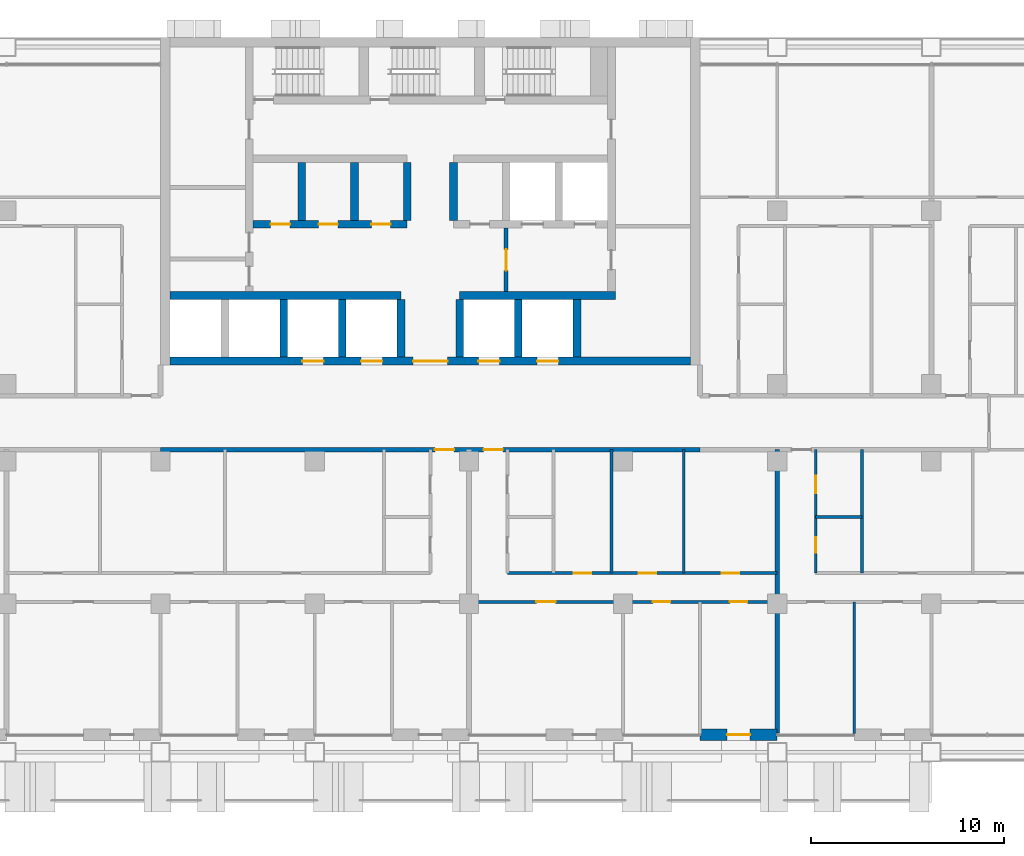
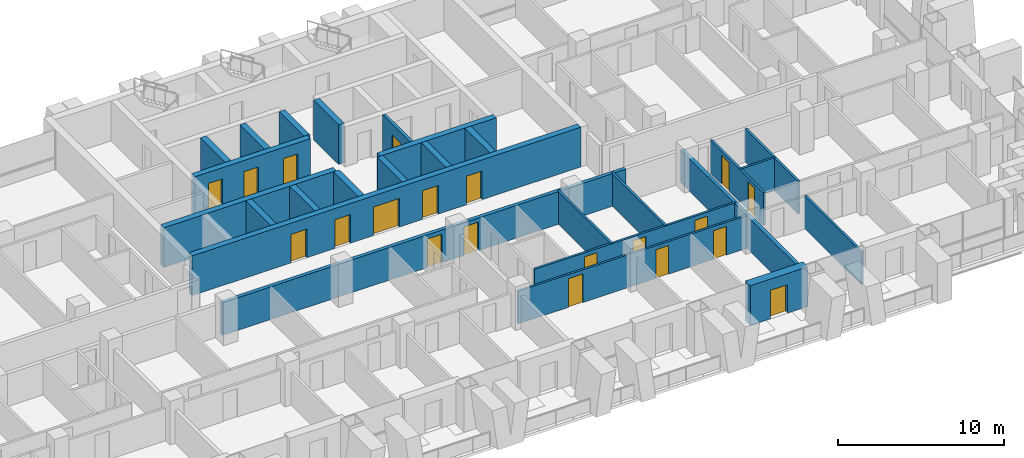
# One storey, part 11 of 18: 26 walls, 20 doors, 20 openings.
"""IFC4 building model written with IfcOpenShell, lengths in metres."""

from ifc_helpers import new_model, si_unit, direction, frame, frame_2d, origin, place, context, subcontext, project, spatial, rectangle, extrude, material, layer, layer_set, type_object, element, fill, save


model = new_model("IFC4")

# Units and contexts
model_context = context("Model", 3, precision=1e-05, world=origin(), true_north=direction((0.0, 1.0)))
body_context = subcontext(model_context, "Body", "Model", "MODEL_VIEW")
ifc_project = project(units=[si_unit("LENGTHUNIT", "METRE"), si_unit("AREAUNIT", "SQUARE_METRE"), si_unit("VOLUMEUNIT", "CUBIC_METRE"), si_unit("PLANEANGLEUNIT", "RADIAN"), si_unit("MASSUNIT", "GRAM", prefix="KILO")], contexts=[model_context])

# Site, building, storey
site_placement = place(None, origin())
site = spatial("IfcSite", under=ifc_project, at=site_placement, CompositionType="ELEMENT")
building_placement = place(site_placement, origin())
building = spatial("IfcBuilding", under=site, at=building_placement, Name="Vidyagriha Tower", CompositionType="ELEMENT")
storey_placement = place(building_placement, frame((0.0, 0.0, 44.800048828125)))
storey = spatial("IfcBuildingStorey", under=building, at=storey_placement, Name="L11", CompositionType="ELEMENT", Elevation=44.800048828125)

# Wall, opening, door
ifc_material_1 = material(Name="Precast concrete C40/50 with brick facing", Category="concrete")
ifc_layer_1 = layer(ifc_material_1, 0.60009765625)
ifc_layer_set_1 = layer_set([ifc_layer_1], Name="Precast concrete C40/50 with brick facing")
wall_type_1 = type_object("IfcWallType", Name="Brick-faced precast wall 600", PredefinedType="STANDARD", material=ifc_layer_set_1)
wall_1_placement = place(storey_placement, frame((14.0, -16.199951171875, 0.0)))
wall_1 = element("IfcWall", 1, at=wall_1_placement, inside=storey, type_object=wall_type_1, Name="Brick door bay wall L11 R23.13", PredefinedType="STANDARD", context=body_context, shape_type="SweptSolid", body=[
    extrude(rectangle(XDim=4.0, YDim=0.60009765625, at=frame_2d((2.0, 0.0))), origin(), (0.0, 0.0, 1.0), 2.919921875),
])
opening_1_placement = place(wall_1_placement, frame((1.39990234375, 0.0, 0.0)))
opening_1 = element("IfcOpeningElement", 2, at=opening_1_placement, cuts=wall_1, Name="Opening D11-82", PredefinedType="OPENING", context=body_context, shape_type="SweptSolid", body=[
    extrude(rectangle(XDim=1.199951171875, YDim=2.10009765625, at=frame_2d((0.60009765625, 1.050048828125))), frame((0.0, 0.31005859375, 0.0), z_axis=(0.0, -1.0, 0.0), x_axis=(1.0, 0.0, 0.0)), (0.0, 0.0, 1.0), 0.6201171875),
])
ifc_material_2 = material(Name="Aluminium framed glazed sliding door", Category="aluminium")
door_type_1 = type_object("IfcDoorType", Name="Balcony sliding door 1200x2100", OperationType="NOTDEFINED", PredefinedType="DOOR", material=ifc_material_2)
door_1_placement = place(opening_1_placement, origin())
door_1 = element("IfcDoor", 3, at=door_1_placement, inside=storey, type_object=door_type_1, Name="Door D11-82", OperationType="SLIDING_TO_LEFT", OverallHeight=2.10009765625, OverallWidth=1.199951171875, PredefinedType="DOOR", context=body_context, shape_type="SweptSolid", body=[
    extrude(rectangle(XDim=1.199951171875, YDim=2.10009765625, at=frame_2d((0.60009765625, 1.050048828125))), frame((0.0, 0.02490234375, 0.0), z_axis=(0.0, -1.0, 0.0), x_axis=(1.0, 0.0, 0.0)), (0.0, 0.0, 1.0), 0.050048828125),
])
fill(opening_1, door_1)

# Wall, openings, doors
ifc_material_3 = material(Name="Concrete C60/75", Category="concrete")
ifc_layer_2 = layer(ifc_material_3, 0.39990234375)
ifc_layer_set_2 = layer_set([ifc_layer_2], Name="Concrete C60/75")
wall_type_2 = type_object("IfcWallType", Name="Core shear wall 400 mm", PredefinedType="SHEAR", material=ifc_layer_set_2)
wall_2_placement = place(storey_placement, frame((-13.5, 3.199951171875, 0.0)))
wall_2 = element("IfcWall", 4, at=wall_2_placement, inside=storey, type_object=wall_type_2, Name="Core front wall", PredefinedType="SHEAR", context=body_context, shape_type="SweptSolid", body=[
    extrude(rectangle(XDim=27.0, YDim=0.39990234375, at=frame_2d((13.5, 0.0))), origin(), (0.0, 0.0, 1.0), 2.919921875),
])
opening_2_placement = place(wall_2_placement, frame((6.861083984375, 0.0, 0.0)))
opening_2 = element("IfcOpeningElement", 5, at=opening_2_placement, cuts=wall_2, Name="Opening LD11-01", PredefinedType="OPENING", context=body_context, shape_type="SweptSolid", body=[
    extrude(rectangle(XDim=1.10009765625, YDim=2.10009765625, at=frame_2d((0.550048828125, 1.050048828125))), frame((0.0, 0.2099609375, 0.0), z_axis=(0.0, -1.0, 0.0), x_axis=(1.0, 0.0, 0.0)), (0.0, 0.0, 1.0), 0.419921875),
])
opening_3_placement = place(wall_2_placement, frame((9.905517578125, 0.0, 0.0)))
opening_3 = element("IfcOpeningElement", 6, at=opening_3_placement, cuts=wall_2, Name="Opening LD11-02", PredefinedType="OPENING", context=body_context, shape_type="SweptSolid", body=[
    extrude(rectangle(XDim=1.10009765625, YDim=2.10009765625, at=frame_2d((0.550048828125, 1.050048828125))), frame((0.0, 0.2099609375, 0.0), z_axis=(0.0, -1.0, 0.0), x_axis=(1.0, 0.0, 0.0)), (0.0, 0.0, 1.0), 0.419921875),
])
opening_4_placement = place(wall_2_placement, frame((15.994384765625, 0.0, 0.0)))
opening_4 = element("IfcOpeningElement", 7, at=opening_4_placement, cuts=wall_2, Name="Opening LD11-03", PredefinedType="OPENING", context=body_context, shape_type="SweptSolid", body=[
    extrude(rectangle(XDim=1.10009765625, YDim=2.10009765625, at=frame_2d((0.550048828125, 1.050048828125))), frame((0.0, 0.2099609375, 0.0), z_axis=(0.0, -1.0, 0.0), x_axis=(1.0, 0.0, 0.0)), (0.0, 0.0, 1.0), 0.419921875),
])
opening_5_placement = place(wall_2_placement, frame((19.038818359375, 0.0, 0.0)))
opening_5 = element("IfcOpeningElement", 8, at=opening_5_placement, cuts=wall_2, Name="Opening LD11-04", PredefinedType="OPENING", context=body_context, shape_type="SweptSolid", body=[
    extrude(rectangle(XDim=1.10009765625, YDim=2.10009765625, at=frame_2d((0.550048828125, 1.050048828125))), frame((0.0, 0.2099609375, 0.0), z_axis=(0.0, -1.0, 0.0), x_axis=(1.0, 0.0, 0.0)), (0.0, 0.0, 1.0), 0.419921875),
])
opening_6_placement = place(wall_2_placement, frame((12.60009765625, 0.0, 0.0)))
opening_6 = element("IfcOpeningElement", 9, at=opening_6_placement, cuts=wall_2, Name="Opening D11-01", PredefinedType="OPENING", context=body_context, shape_type="SweptSolid", body=[
    extrude(rectangle(XDim=1.800048828125, YDim=2.10009765625, at=frame_2d((0.89990234375, 1.050048828125))), frame((0.0, 0.2099609375, 0.0), z_axis=(0.0, -1.0, 0.0), x_axis=(1.0, 0.0, 0.0)), (0.0, 0.0, 1.0), 0.419921875),
])
ifc_material_4 = material(Name="Hollow metal door leaf")
door_type_2 = type_object("IfcDoorType", Name="Core lobby double door 1800 x 2100 mm EI 60", OperationType="NOTDEFINED", PredefinedType="DOOR", material=ifc_material_4)
door_2_placement = place(opening_6_placement, frame((1.800048828125, 0.0, 0.0), z_axis=(0.0, 0.0, 1.0), x_axis=(-1.0, 0.0, 0.0)))
door_2 = element("IfcDoor", 10, at=door_2_placement, inside=storey, type_object=door_type_2, Name="Core entrance door L11", OperationType="DOUBLE_DOOR_SINGLE_SWING", OverallHeight=2.10009765625, OverallWidth=1.800048828125, PredefinedType="DOOR", context=body_context, shape_type="SweptSolid", body=[
    extrude(rectangle(XDim=1.800048828125, YDim=2.10009765625, at=frame_2d((0.89990234375, 1.050048828125))), frame((0.0, 0.02490234375, 0.0), z_axis=(0.0, -1.0, 0.0), x_axis=(1.0, 0.0, 0.0)), (0.0, 0.0, 1.0), 0.050048828125),
])
fill(opening_6, door_2)
ifc_material_5 = material(Name="Stainless steel sliding door panel", Category="steel")
door_type_3 = type_object("IfcDoorType", Name="Lift landing door 1100 x 2100 mm EI 90", OperationType="NOTDEFINED", PredefinedType="DOOR", material=ifc_material_5)
door_3_placement = place(opening_2_placement, origin())
door_3 = element("IfcDoor", 11, at=door_3_placement, inside=storey, type_object=door_type_3, Name="Landing door LR1 L11", OperationType="SLIDING_TO_LEFT", OverallHeight=2.10009765625, OverallWidth=1.10009765625, PredefinedType="DOOR", context=body_context, shape_type="SweptSolid", body=[
    extrude(rectangle(XDim=1.10009765625, YDim=2.10009765625, at=frame_2d((0.550048828125, 1.050048828125))), frame((0.0, 0.02490234375, 0.0), z_axis=(0.0, -1.0, 0.0), x_axis=(1.0, 0.0, 0.0)), (0.0, 0.0, 1.0), 0.050048828125),
])
fill(opening_2, door_3)
door_4_placement = place(opening_3_placement, origin())
door_4 = element("IfcDoor", 12, at=door_4_placement, inside=storey, type_object=door_type_3, Name="Landing door LR2 L11", OperationType="SLIDING_TO_LEFT", OverallHeight=2.10009765625, OverallWidth=1.10009765625, PredefinedType="DOOR", context=body_context, shape_type="SweptSolid", body=[
    extrude(rectangle(XDim=1.10009765625, YDim=2.10009765625, at=frame_2d((0.550048828125, 1.050048828125))), frame((0.0, 0.02490234375, 0.0), z_axis=(0.0, -1.0, 0.0), x_axis=(1.0, 0.0, 0.0)), (0.0, 0.0, 1.0), 0.050048828125),
])
fill(opening_3, door_4)
door_5_placement = place(opening_4_placement, origin())
door_5 = element("IfcDoor", 13, at=door_5_placement, inside=storey, type_object=door_type_3, Name="Landing door LR3 L11", OperationType="SLIDING_TO_LEFT", OverallHeight=2.10009765625, OverallWidth=1.10009765625, PredefinedType="DOOR", context=body_context, shape_type="SweptSolid", body=[
    extrude(rectangle(XDim=1.10009765625, YDim=2.10009765625, at=frame_2d((0.550048828125, 1.050048828125))), frame((0.0, 0.02490234375, 0.0), z_axis=(0.0, -1.0, 0.0), x_axis=(1.0, 0.0, 0.0)), (0.0, 0.0, 1.0), 0.050048828125),
])
fill(opening_4, door_5)
door_6_placement = place(opening_5_placement, origin())
door_6 = element("IfcDoor", 14, at=door_6_placement, inside=storey, type_object=door_type_3, Name="Landing door LR4 L11", OperationType="SLIDING_TO_LEFT", OverallHeight=2.10009765625, OverallWidth=1.10009765625, PredefinedType="DOOR", context=body_context, shape_type="SweptSolid", body=[
    extrude(rectangle(XDim=1.10009765625, YDim=2.10009765625, at=frame_2d((0.550048828125, 1.050048828125))), frame((0.0, 0.02490234375, 0.0), z_axis=(0.0, -1.0, 0.0), x_axis=(1.0, 0.0, 0.0)), (0.0, 0.0, 1.0), 0.050048828125),
])
fill(opening_5, door_6)

# Walls
wall_3_placement = place(storey_placement, frame((-13.5, 6.60009765625, 0.0)))
element("IfcWall", 15, at=wall_3_placement, inside=storey, type_object=wall_type_2, Name="Core lobby south wall west", PredefinedType="SHEAR", context=body_context, shape_type="SweptSolid", body=[
    extrude(rectangle(XDim=11.977783203125, YDim=0.39990234375, at=frame_2d((5.98876953125, 0.0))), origin(), (0.0, 0.0, 1.0), 2.919921875),
])
wall_4_placement = place(storey_placement, frame((1.522216796875, 6.60009765625, 0.0)))
element("IfcWall", 16, at=wall_4_placement, inside=storey, type_object=wall_type_2, Name="Core lobby south wall east", PredefinedType="SHEAR", context=body_context, shape_type="SweptSolid", body=[
    extrude(rectangle(XDim=8.077880859375, YDim=0.39990234375, at=frame_2d((4.0390625, 0.0))), origin(), (0.0, 0.0, 1.0), 2.919921875),
])
for number, where, z_axis, x_axis, name in (
    (17, (-7.611083984375, 3.39990234375, 0.0), (0.0, 0.0, 1.0), (0.0, 1.0, 0.0), "Core bay wall S2"),
    (18, (-4.566650390625, 3.39990234375, 0.0), (0.0, 0.0, 1.0), (0.0, 1.0, 0.0), "Core bay wall S3"),
    (19, (-1.522216796875, 3.39990234375, 0.0), (0.0, 0.0, 1.0), (0.0, 1.0, 0.0), "Core bay wall S4"),
    (20, (1.522216796875, 3.39990234375, 0.0), (0.0, 0.0, 1.0), (0.0, 1.0, 0.0), "Core bay wall S5"),
    (21, (4.566650390625, 3.39990234375, 0.0), (0.0, 0.0, 1.0), (0.0, 1.0, 0.0), "Core bay wall S6"),
    (22, (7.611083984375, 3.39990234375, 0.0), (0.0, 0.0, 1.0), (0.0, 1.0, 0.0), "Core bay wall S7"),
):
    element("IfcWall", number, at=place(storey_placement, frame(where, z_axis=z_axis, x_axis=x_axis)), inside=storey, type_object=wall_type_2, Name=name, PredefinedType="SHEAR", context=body_context, shape_type="SweptSolid", body=[
        extrude(rectangle(XDim=3.0, YDim=0.39990234375, at=frame_2d((1.5, 0.0))), origin(), (0.0, 0.0, 1.0), 2.919921875),
    ])

# Wall, openings, doors
wall_5_placement = place(storey_placement, frame((-9.199951171875, 10.300048828125, 0.0)))
wall_5 = element("IfcWall", 23, at=wall_5_placement, inside=storey, type_object=wall_type_2, Name="Core row N front wall", PredefinedType="SHEAR", context=body_context, shape_type="SweptSolid", body=[
    extrude(rectangle(XDim=8.0, YDim=0.39990234375, at=frame_2d((4.0, 0.0))), origin(), (0.0, 0.0, 1.0), 2.919921875),
])
opening_7_placement = place(wall_5_placement, frame((0.916748046875, 0.0, 0.0)))
opening_7 = element("IfcOpeningElement", 24, at=opening_7_placement, cuts=wall_5, Name="Opening D11-02", PredefinedType="OPENING", context=body_context, shape_type="SweptSolid", body=[
    extrude(rectangle(XDim=1.0, YDim=2.10009765625, at=frame_2d((0.5, 1.050048828125))), frame((0.0, 0.2099609375, 0.0), z_axis=(0.0, -1.0, 0.0), x_axis=(1.0, 0.0, 0.0)), (0.0, 0.0, 1.0), 0.419921875),
])
opening_8_placement = place(wall_5_placement, frame((3.39990234375, 0.0, 0.0)))
opening_8 = element("IfcOpeningElement", 25, at=opening_8_placement, cuts=wall_5, Name="Opening D11-03", PredefinedType="OPENING", context=body_context, shape_type="SweptSolid", body=[
    extrude(rectangle(XDim=1.0, YDim=2.10009765625, at=frame_2d((0.5, 1.050048828125))), frame((0.0, 0.2099609375, 0.0), z_axis=(0.0, -1.0, 0.0), x_axis=(1.0, 0.0, 0.0)), (0.0, 0.0, 1.0), 0.419921875),
])
opening_9_placement = place(wall_5_placement, frame((6.13330078125, 0.0, 0.0)))
opening_9 = element("IfcOpeningElement", 26, at=opening_9_placement, cuts=wall_5, Name="Opening D11-04", PredefinedType="OPENING", context=body_context, shape_type="SweptSolid", body=[
    extrude(rectangle(XDim=1.0, YDim=2.10009765625, at=frame_2d((0.5, 1.050048828125))), frame((0.0, 0.2099609375, 0.0), z_axis=(0.0, -1.0, 0.0), x_axis=(1.0, 0.0, 0.0)), (0.0, 0.0, 1.0), 0.419921875),
])
ifc_material_6 = material(Name="Hollow metal door leaf")
door_type_4 = type_object("IfcDoorType", Name="Core room door 1000 x 2100 mm EI 60", OperationType="NOTDEFINED", PredefinedType="DOOR", material=ifc_material_6)
door_7_placement = place(opening_7_placement, frame((1.0, 0.0, 0.0), z_axis=(0.0, 0.0, 1.0), x_axis=(-1.0, 0.0, 0.0)))
door_7 = element("IfcDoor", 27, at=door_7_placement, inside=storey, type_object=door_type_4, Name="Door Communications Room 11.14", OperationType="SINGLE_SWING_RIGHT", OverallHeight=2.10009765625, OverallWidth=1.0, PredefinedType="DOOR", context=body_context, shape_type="SweptSolid", body=[
    extrude(rectangle(XDim=1.0, YDim=2.10009765625, at=frame_2d((0.5, 1.050048828125))), frame((0.0, 0.02490234375, 0.0), z_axis=(0.0, -1.0, 0.0), x_axis=(1.0, 0.0, 0.0)), (0.0, 0.0, 1.0), 0.050048828125),
])
fill(opening_7, door_7)
door_8_placement = place(opening_8_placement, frame((1.0, 0.0, 0.0), z_axis=(0.0, 0.0, 1.0), x_axis=(-1.0, 0.0, 0.0)))
door_8 = element("IfcDoor", 28, at=door_8_placement, inside=storey, type_object=door_type_4, Name="Door Refuse Room 11.15", OperationType="SINGLE_SWING_RIGHT", OverallHeight=2.10009765625, OverallWidth=1.0, PredefinedType="DOOR", context=body_context, shape_type="SweptSolid", body=[
    extrude(rectangle(XDim=1.0, YDim=2.10009765625, at=frame_2d((0.5, 1.050048828125))), frame((0.0, 0.02490234375, 0.0), z_axis=(0.0, -1.0, 0.0), x_axis=(1.0, 0.0, 0.0)), (0.0, 0.0, 1.0), 0.050048828125),
])
fill(opening_8, door_8)
door_9_placement = place(opening_9_placement, frame((1.0, 0.0, 0.0), z_axis=(0.0, 0.0, 1.0), x_axis=(-1.0, 0.0, 0.0)))
door_9 = element("IfcDoor", 29, at=door_9_placement, inside=storey, type_object=door_type_4, Name="Door Pressurisation Plant Room 11.16", OperationType="SINGLE_SWING_LEFT", OverallHeight=2.10009765625, OverallWidth=1.0, PredefinedType="DOOR", context=body_context, shape_type="SweptSolid", body=[
    extrude(rectangle(XDim=1.0, YDim=2.10009765625, at=frame_2d((0.5, 1.050048828125))), frame((0.0, 0.02490234375, 0.0), z_axis=(0.0, -1.0, 0.0), x_axis=(1.0, 0.0, 0.0)), (0.0, 0.0, 1.0), 0.050048828125),
])
fill(opening_9, door_9)

# Walls
for number, where, z_axis, x_axis, name in (
    (30, (-6.666748046875, 10.5, 0.0), (0.0, 0.0, 1.0), (0.0, 1.0, 0.0), "Core bay wall N1"),
    (31, (-3.933349609375, 10.5, 0.0), (0.0, 0.0, 1.0), (0.0, 1.0, 0.0), "Core bay wall N2"),
    (32, (-1.199951171875, 10.5, 0.0), (0.0, 0.0, 1.0), (0.0, 1.0, 0.0), "Core bay wall N3"),
    (33, (1.199951171875, 10.5, 0.0), (0.0, 0.0, 1.0), (0.0, 1.0, 0.0), "Core bay wall N4"),
):
    element("IfcWall", number, at=place(storey_placement, frame(where, z_axis=z_axis, x_axis=x_axis)), inside=storey, type_object=wall_type_2, Name=name, PredefinedType="SHEAR", context=body_context, shape_type="SweptSolid", body=[
        extrude(rectangle(XDim=3.0, YDim=0.39990234375, at=frame_2d((1.5, 0.0))), origin(), (0.0, 0.0, 1.0), 2.919921875),
    ])

# Wall, openings, doors
ifc_material_7 = material(Name="Fired clay brick masonry", Category="masonry")
ifc_layer_3 = layer(ifc_material_7, 0.25)
ifc_layer_set_3 = layer_set([ifc_layer_3], Name="Fired clay brick masonry")
wall_type_3 = type_object("IfcWallType", Name="Fired clay brick corridor wall 250", PredefinedType="PARTITIONING", material=ifc_layer_set_3)
wall_6_placement = place(storey_placement, frame((14.0, -1.39990234375, 0.0), z_axis=(0.0, 0.0, 1.0), x_axis=(-1.0, 0.0, 0.0)))
wall_6 = element("IfcWall", 34, at=wall_6_placement, inside=storey, type_object=wall_type_3, Name="Wall all-L11-w133", PredefinedType="PARTITIONING", context=body_context, shape_type="SweptSolid", body=[
    extrude(rectangle(XDim=28.0, YDim=0.25, at=frame_2d((14.0, 0.0))), origin(), (0.0, 0.0, 1.0), 2.39990234375),
])
opening_10_placement = place(wall_6_placement, frame((12.760009765625, 0.0, 0.0)))
opening_10 = element("IfcOpeningElement", 35, at=opening_10_placement, cuts=wall_6, Name="Opening D11-32", PredefinedType="OPENING", context=body_context, shape_type="SweptSolid", body=[
    extrude(rectangle(XDim=1.0, YDim=2.10009765625, at=frame_2d((0.5, 1.050048828125))), frame((0.0, 0.135009765625, 0.0), z_axis=(0.0, -1.0, 0.0), x_axis=(1.0, 0.0, 0.0)), (0.0, 0.0, 1.0), 0.27001953125),
])
opening_11_placement = place(wall_6_placement, frame((10.239990234375, 0.0, 0.0)))
opening_11 = element("IfcOpeningElement", 36, at=opening_11_placement, cuts=wall_6, Name="Opening D11-41", PredefinedType="OPENING", context=body_context, shape_type="SweptSolid", body=[
    extrude(rectangle(XDim=1.0, YDim=2.10009765625, at=frame_2d((0.5, 1.050048828125))), frame((0.0, 0.135009765625, 0.0), z_axis=(0.0, -1.0, 0.0), x_axis=(1.0, 0.0, 0.0)), (0.0, 0.0, 1.0), 0.27001953125),
])
ifc_material_8 = material(Name="Fire-rated timber door leaf EI 60", Category="wood")
door_type_5 = type_object("IfcDoorType", Name="Flat entrance fire door 1000x2100", OperationType="NOTDEFINED", PredefinedType="DOOR", material=ifc_material_8)
door_10_placement = place(opening_10_placement, origin())
door_10 = element("IfcDoor", 37, at=door_10_placement, inside=storey, type_object=door_type_5, Name="Door D11-32", OperationType="SINGLE_SWING_LEFT", OverallHeight=2.10009765625, OverallWidth=1.0, PredefinedType="DOOR", context=body_context, shape_type="SweptSolid", body=[
    extrude(rectangle(XDim=1.0, YDim=2.10009765625, at=frame_2d((0.5, 1.050048828125))), frame((0.0, 0.02490234375, 0.0), z_axis=(0.0, -1.0, 0.0), x_axis=(1.0, 0.0, 0.0)), (0.0, 0.0, 1.0), 0.050048828125),
])
fill(opening_10, door_10)
door_11_placement = place(opening_11_placement, origin())
door_11 = element("IfcDoor", 38, at=door_11_placement, inside=storey, type_object=door_type_5, Name="Door D11-41", OperationType="SINGLE_SWING_RIGHT", OverallHeight=2.10009765625, OverallWidth=1.0, PredefinedType="DOOR", context=body_context, shape_type="SweptSolid", body=[
    extrude(rectangle(XDim=1.0, YDim=2.10009765625, at=frame_2d((0.5, 1.050048828125))), frame((0.0, 0.02490234375, 0.0), z_axis=(0.0, -1.0, 0.0), x_axis=(1.0, 0.0, 0.0)), (0.0, 0.0, 1.0), 0.050048828125),
])
fill(opening_11, door_11)

# Walls
ifc_material_9 = material(Name="Fired clay brick masonry", Category="masonry")
ifc_layer_4 = layer(ifc_material_9, 0.25)
ifc_layer_set_4 = layer_set([ifc_layer_4], Name="Fired clay brick masonry")
wall_type_4 = type_object("IfcWallType", Name="Fired clay brick demising wall 250", PredefinedType="PARTITIONING", material=ifc_layer_set_4)
wall_7_placement = place(storey_placement, frame((18.0, -1.39990234375, 0.0), z_axis=(0.0, 0.0, 1.0), x_axis=(0.0, -1.0, 0.0)))
element("IfcWall", 39, at=wall_7_placement, inside=storey, type_object=wall_type_4, Name="Wall all-L11-w077", PredefinedType="PARTITIONING", context=body_context, shape_type="SweptSolid", body=[
    extrude(rectangle(XDim=14.710205078125, YDim=0.25, at=frame_2d((7.35498046875, 0.0))), origin(), (0.0, 0.0, 1.0), 2.39990234375),
])
ifc_material_10 = material(Name="Gypsum board partition")
ifc_layer_5 = layer(ifc_material_10, 0.14990234375)
ifc_layer_set_5 = layer_set([ifc_layer_5], Name="Gypsum board partition")
wall_type_5 = type_object("IfcWallType", Name="Gypsum board partition 150", PredefinedType="PARTITIONING", material=ifc_layer_set_5)
for number, where, z_axis, x_axis, name in (
    (40, (9.39990234375, -1.39990234375, 0.0), (0.0, 0.0, 1.0), (0.0, -1.0, 0.0), "Wall all-L11-w043"),
    (41, (13.14990234375, -1.39990234375, 0.0), (0.0, 0.0, 1.0), (0.0, -1.0, 0.0), "Wall all-L11-w044"),
):
    element("IfcWall", number, at=place(storey_placement, frame(where, z_axis=z_axis, x_axis=x_axis)), inside=storey, type_object=wall_type_5, Name=name, PredefinedType="PARTITIONING", context=body_context, shape_type="SweptSolid", body=[
        extrude(rectangle(XDim=6.400146484375, YDim=0.14990234375, at=frame_2d((3.2001953125, 0.0))), origin(), (0.0, 0.0, 1.0), 2.39990234375),
    ])

# Wall, openings, doors
wall_8_placement = place(storey_placement, frame((4.0, -7.800048828125, 0.0)))
wall_8 = element("IfcWall", 42, at=wall_8_placement, inside=storey, type_object=wall_type_5, Name="Wall all-L11-w045", PredefinedType="PARTITIONING", context=body_context, shape_type="SweptSolid", body=[
    extrude(rectangle(XDim=14.0, YDim=0.14990234375, at=frame_2d((7.0, 0.0))), origin(), (0.0, 0.0, 1.0), 2.39990234375),
])
opening_12_placement = place(wall_8_placement, frame((3.449951171875, 0.0, 0.0)))
opening_12 = element("IfcOpeningElement", 43, at=opening_12_placement, cuts=wall_8, Name="Opening D11-35", PredefinedType="OPENING", context=body_context, shape_type="SweptSolid", body=[
    extrude(rectangle(XDim=0.89990234375, YDim=2.10009765625, at=frame_2d((0.449951171875, 1.050048828125))), frame((0.0, 0.0849609375, 0.0), z_axis=(0.0, -1.0, 0.0), x_axis=(1.0, 0.0, 0.0)), (0.0, 0.0, 1.0), 0.169921875),
])
opening_13_placement = place(wall_8_placement, frame((6.824951171875, 0.0, 0.0)))
opening_13 = element("IfcOpeningElement", 44, at=opening_13_placement, cuts=wall_8, Name="Opening D11-36", PredefinedType="OPENING", context=body_context, shape_type="SweptSolid", body=[
    extrude(rectangle(XDim=0.89990234375, YDim=2.10009765625, at=frame_2d((0.449951171875, 1.050048828125))), frame((0.0, 0.0849609375, 0.0), z_axis=(0.0, -1.0, 0.0), x_axis=(1.0, 0.0, 0.0)), (0.0, 0.0, 1.0), 0.169921875),
])
opening_14_placement = place(wall_8_placement, frame((11.125, 0.0, 0.0)))
opening_14 = element("IfcOpeningElement", 45, at=opening_14_placement, cuts=wall_8, Name="Opening D11-37", PredefinedType="OPENING", context=body_context, shape_type="SweptSolid", body=[
    extrude(rectangle(XDim=0.89990234375, YDim=2.10009765625, at=frame_2d((0.449951171875, 1.050048828125))), frame((0.0, 0.0849609375, 0.0), z_axis=(0.0, -1.0, 0.0), x_axis=(1.0, 0.0, 0.0)), (0.0, 0.0, 1.0), 0.169921875),
])
ifc_material_11 = material(Name="Timber door leaf", Category="wood")
door_type_6 = type_object("IfcDoorType", Name="Room door 900x2100", OperationType="NOTDEFINED", PredefinedType="DOOR", material=ifc_material_11)
door_12_placement = place(opening_12_placement, origin())
door_12 = element("IfcDoor", 46, at=door_12_placement, inside=storey, type_object=door_type_6, Name="Door D11-35", OperationType="SINGLE_SWING_RIGHT", OverallHeight=2.10009765625, OverallWidth=0.89990234375, PredefinedType="DOOR", context=body_context, shape_type="SweptSolid", body=[
    extrude(rectangle(XDim=0.89990234375, YDim=2.10009765625, at=frame_2d((0.449951171875, 1.050048828125))), frame((0.0, 0.02490234375, 0.0), z_axis=(0.0, -1.0, 0.0), x_axis=(1.0, 0.0, 0.0)), (0.0, 0.0, 1.0), 0.050048828125),
])
fill(opening_12, door_12)
door_13_placement = place(opening_13_placement, origin())
door_13 = element("IfcDoor", 47, at=door_13_placement, inside=storey, type_object=door_type_6, Name="Door D11-36", OperationType="SINGLE_SWING_RIGHT", OverallHeight=2.10009765625, OverallWidth=0.89990234375, PredefinedType="DOOR", context=body_context, shape_type="SweptSolid", body=[
    extrude(rectangle(XDim=0.89990234375, YDim=2.10009765625, at=frame_2d((0.449951171875, 1.050048828125))), frame((0.0, 0.02490234375, 0.0), z_axis=(0.0, -1.0, 0.0), x_axis=(1.0, 0.0, 0.0)), (0.0, 0.0, 1.0), 0.050048828125),
])
fill(opening_13, door_13)
door_14_placement = place(opening_14_placement, origin())
door_14 = element("IfcDoor", 48, at=door_14_placement, inside=storey, type_object=door_type_6, Name="Door D11-37", OperationType="SINGLE_SWING_LEFT", OverallHeight=2.10009765625, OverallWidth=0.89990234375, PredefinedType="DOOR", context=body_context, shape_type="SweptSolid", body=[
    extrude(rectangle(XDim=0.89990234375, YDim=2.10009765625, at=frame_2d((0.449951171875, 1.050048828125))), frame((0.0, 0.02490234375, 0.0), z_axis=(0.0, -1.0, 0.0), x_axis=(1.0, 0.0, 0.0)), (0.0, 0.0, 1.0), 0.050048828125),
])
fill(opening_14, door_14)

wall_9_placement = place(storey_placement, frame((18.0, -9.300048828125, 0.0), z_axis=(0.0, 0.0, 1.0), x_axis=(-1.0, 0.0, 0.0)))
wall_9 = element("IfcWall", 49, at=wall_9_placement, inside=storey, type_object=wall_type_5, Name="Wall all-L11-w049", PredefinedType="PARTITIONING", context=body_context, shape_type="SweptSolid", body=[
    extrude(rectangle(XDim=16.0, YDim=0.14990234375, at=frame_2d((8.0, 0.0))), origin(), (0.0, 0.0, 1.0), 2.39990234375),
])
opening_15_placement = place(wall_9_placement, frame((11.5, 0.0, 0.0)))
opening_15 = element("IfcOpeningElement", 50, at=opening_15_placement, cuts=wall_9, Name="Opening D11-38", PredefinedType="OPENING", context=body_context, shape_type="SweptSolid", body=[
    extrude(rectangle(XDim=1.0, YDim=2.10009765625, at=frame_2d((0.5, 1.050048828125))), frame((0.0, 0.0849609375, 0.0), z_axis=(0.0, -1.0, 0.0), x_axis=(1.0, 0.0, 0.0)), (0.0, 0.0, 1.0), 0.169921875),
])
opening_16_placement = place(wall_9_placement, frame((5.550048828125, 0.0, 0.0)))
opening_16 = element("IfcOpeningElement", 51, at=opening_16_placement, cuts=wall_9, Name="Opening D11-39", PredefinedType="OPENING", context=body_context, shape_type="SweptSolid", body=[
    extrude(rectangle(XDim=0.89990234375, YDim=2.10009765625, at=frame_2d((0.449951171875, 1.050048828125))), frame((0.0, 0.0849609375, 0.0), z_axis=(0.0, -1.0, 0.0), x_axis=(1.0, 0.0, 0.0)), (0.0, 0.0, 1.0), 0.169921875),
])
opening_17_placement = place(wall_9_placement, frame((1.550048828125, 0.0, 0.0)))
opening_17 = element("IfcOpeningElement", 52, at=opening_17_placement, cuts=wall_9, Name="Opening D11-40", PredefinedType="OPENING", context=body_context, shape_type="SweptSolid", body=[
    extrude(rectangle(XDim=0.89990234375, YDim=2.10009765625, at=frame_2d((0.449951171875, 1.050048828125))), frame((0.0, 0.0849609375, 0.0), z_axis=(0.0, -1.0, 0.0), x_axis=(1.0, 0.0, 0.0)), (0.0, 0.0, 1.0), 0.169921875),
])
ifc_material_12 = material(Name="Timber door leaf", Category="wood")
door_type_7 = type_object("IfcDoorType", Name="Room door 1000x2100", OperationType="NOTDEFINED", PredefinedType="DOOR", material=ifc_material_12)
door_15_placement = place(opening_15_placement, origin())
door_15 = element("IfcDoor", 53, at=door_15_placement, inside=storey, type_object=door_type_7, Name="Door D11-38", OperationType="SINGLE_SWING_RIGHT", OverallHeight=2.10009765625, OverallWidth=1.0, PredefinedType="DOOR", context=body_context, shape_type="SweptSolid", body=[
    extrude(rectangle(XDim=1.0, YDim=2.10009765625, at=frame_2d((0.5, 1.050048828125))), frame((0.0, 0.02490234375, 0.0), z_axis=(0.0, -1.0, 0.0), x_axis=(1.0, 0.0, 0.0)), (0.0, 0.0, 1.0), 0.050048828125),
])
fill(opening_15, door_15)
door_16_placement = place(opening_16_placement, origin())
door_16 = element("IfcDoor", 54, at=door_16_placement, inside=storey, type_object=door_type_6, Name="Door D11-39", OperationType="SINGLE_SWING_RIGHT", OverallHeight=2.10009765625, OverallWidth=0.89990234375, PredefinedType="DOOR", context=body_context, shape_type="SweptSolid", body=[
    extrude(rectangle(XDim=0.89990234375, YDim=2.10009765625, at=frame_2d((0.449951171875, 1.050048828125))), frame((0.0, 0.02490234375, 0.0), z_axis=(0.0, -1.0, 0.0), x_axis=(1.0, 0.0, 0.0)), (0.0, 0.0, 1.0), 0.050048828125),
])
fill(opening_16, door_16)
door_17_placement = place(opening_17_placement, origin())
door_17 = element("IfcDoor", 55, at=door_17_placement, inside=storey, type_object=door_type_6, Name="Door D11-40", OperationType="SINGLE_SWING_RIGHT", OverallHeight=2.10009765625, OverallWidth=0.89990234375, PredefinedType="DOOR", context=body_context, shape_type="SweptSolid", body=[
    extrude(rectangle(XDim=0.89990234375, YDim=2.10009765625, at=frame_2d((0.449951171875, 1.050048828125))), frame((0.0, 0.02490234375, 0.0), z_axis=(0.0, -1.0, 0.0), x_axis=(1.0, 0.0, 0.0)), (0.0, 0.0, 1.0), 0.050048828125),
])
fill(opening_17, door_17)

# Walls
wall_10_placement = place(storey_placement, frame((22.39990234375, -4.89990234375, 0.0), z_axis=(0.0, 0.0, 1.0), x_axis=(-1.0, 0.0, 0.0)))
element("IfcWall", 56, at=wall_10_placement, inside=storey, type_object=wall_type_5, Name="Wall all-L11-w060", PredefinedType="PARTITIONING", context=body_context, shape_type="SweptSolid", body=[
    extrude(rectangle(XDim=2.39990234375, YDim=0.14990234375, at=frame_2d((1.199951171875, 0.0))), origin(), (0.0, 0.0, 1.0), 2.39990234375),
])
wall_11_placement = place(storey_placement, frame((22.39990234375, -1.39990234375, 0.0), z_axis=(0.0, 0.0, 1.0), x_axis=(0.0, -1.0, 0.0)))
element("IfcWall", 57, at=wall_11_placement, inside=storey, type_object=wall_type_5, Name="Wall all-L11-w061", PredefinedType="PARTITIONING", context=body_context, shape_type="SweptSolid", body=[
    extrude(rectangle(XDim=6.400146484375, YDim=0.14990234375, at=frame_2d((3.2001953125, 0.0))), origin(), (0.0, 0.0, 1.0), 2.39990234375),
])
wall_12_placement = place(storey_placement, frame((22.0, -9.300048828125, 0.0), z_axis=(0.0, 0.0, 1.0), x_axis=(0.0, -1.0, 0.0)))
element("IfcWall", 58, at=wall_12_placement, inside=storey, type_object=wall_type_5, Name="Wall all-L11-w073", PredefinedType="PARTITIONING", context=body_context, shape_type="SweptSolid", body=[
    extrude(rectangle(XDim=6.821044921875, YDim=0.14990234375, at=frame_2d((3.41064453125, 0.0))), origin(), (0.0, 0.0, 1.0), 2.39990234375),
])

# Wall, openings, doors
ifc_material_13 = material(Name="Moisture resistant gypsum board partition")
ifc_layer_6 = layer(ifc_material_13, 0.14990234375)
ifc_layer_set_6 = layer_set([ifc_layer_6], Name="Moisture resistant gypsum board partition")
wall_type_6 = type_object("IfcWallType", Name="Gypsum board wet-area partition 150", PredefinedType="PARTITIONING", material=ifc_layer_set_6)
wall_13_placement = place(storey_placement, frame((20.0, -1.39990234375, 0.0), z_axis=(0.0, 0.0, 1.0), x_axis=(0.0, -1.0, 0.0)))
wall_13 = element("IfcWall", 59, at=wall_13_placement, inside=storey, type_object=wall_type_6, Name="Wall all-L11-w057", PredefinedType="PARTITIONING", context=body_context, shape_type="SweptSolid", body=[
    extrude(rectangle(XDim=6.400146484375, YDim=0.14990234375, at=frame_2d((3.2001953125, 0.0))), origin(), (0.0, 0.0, 1.0), 2.39990234375),
])
opening_18_placement = place(wall_13_placement, frame((1.360107421875, 0.0, 0.0)))
opening_18 = element("IfcOpeningElement", 60, at=opening_18_placement, cuts=wall_13, Name="Opening D11-42", PredefinedType="OPENING", context=body_context, shape_type="SweptSolid", body=[
    extrude(rectangle(XDim=0.89990234375, YDim=2.10009765625, at=frame_2d((0.449951171875, 1.050048828125))), frame((0.0, 0.0849609375, 0.0), z_axis=(0.0, -1.0, 0.0), x_axis=(1.0, 0.0, 0.0)), (0.0, 0.0, 1.0), 0.169921875),
])
opening_19_placement = place(wall_13_placement, frame((4.550048828125, 0.0, 0.0)))
opening_19 = element("IfcOpeningElement", 61, at=opening_19_placement, cuts=wall_13, Name="Opening D11-43", PredefinedType="OPENING", context=body_context, shape_type="SweptSolid", body=[
    extrude(rectangle(XDim=0.800048828125, YDim=2.10009765625, at=frame_2d((0.39990234375, 1.050048828125))), frame((0.0, 0.0849609375, 0.0), z_axis=(0.0, -1.0, 0.0), x_axis=(1.0, 0.0, 0.0)), (0.0, 0.0, 1.0), 0.169921875),
])
ifc_material_14 = material(Name="Timber door leaf", Category="wood")
door_type_8 = type_object("IfcDoorType", Name="Bathroom door 800x2100", OperationType="NOTDEFINED", PredefinedType="DOOR", material=ifc_material_14)
door_18_placement = place(opening_19_placement, origin())
door_18 = element("IfcDoor", 62, at=door_18_placement, inside=storey, type_object=door_type_8, Name="Door D11-43", OperationType="SINGLE_SWING_LEFT", OverallHeight=2.10009765625, OverallWidth=0.800048828125, PredefinedType="DOOR", context=body_context, shape_type="SweptSolid", body=[
    extrude(rectangle(XDim=0.800048828125, YDim=2.10009765625, at=frame_2d((0.39990234375, 1.050048828125))), frame((0.0, 0.02490234375, 0.0), z_axis=(0.0, -1.0, 0.0), x_axis=(1.0, 0.0, 0.0)), (0.0, 0.0, 1.0), 0.050048828125),
])
fill(opening_19, door_18)
ifc_material_15 = material(Name="Timber door leaf", Category="wood")
door_type_9 = type_object("IfcDoorType", Name="Kitchen door 900x2100", OperationType="NOTDEFINED", PredefinedType="DOOR", material=ifc_material_15)
door_19_placement = place(opening_18_placement, origin())
door_19 = element("IfcDoor", 63, at=door_19_placement, inside=storey, type_object=door_type_9, Name="Door D11-42", OperationType="SINGLE_SWING_RIGHT", OverallHeight=2.10009765625, OverallWidth=0.89990234375, PredefinedType="DOOR", context=body_context, shape_type="SweptSolid", body=[
    extrude(rectangle(XDim=0.89990234375, YDim=2.10009765625, at=frame_2d((0.449951171875, 1.050048828125))), frame((0.0, 0.02490234375, 0.0), z_axis=(0.0, -1.0, 0.0), x_axis=(1.0, 0.0, 0.0)), (0.0, 0.0, 1.0), 0.050048828125),
])
fill(opening_18, door_19)

# Wall, opening, door
ifc_material_16 = material(Name="Blockwork 15 MPa", Category="masonry")
ifc_layer_7 = layer(ifc_material_16, 0.199951171875)
ifc_layer_set_7 = layer_set([ifc_layer_7], Name="Blockwork 15 MPa")
wall_type_7 = type_object("IfcWallType", Name="Service room partition 200 mm", PredefinedType="PARTITIONING", material=ifc_layer_set_7)
wall_14_placement = place(storey_placement, frame((3.933349609375, 6.800048828125, 0.0), z_axis=(0.0, 0.0, 1.0), x_axis=(0.0, 1.0, 0.0)))
wall_14 = element("IfcWall", 64, at=wall_14_placement, inside=storey, type_object=wall_type_7, Name="Fire-fighting lobby west wall", PredefinedType="PARTITIONING", context=body_context, shape_type="SweptSolid", body=[
    extrude(rectangle(XDim=3.300048828125, YDim=0.199951171875, at=frame_2d((1.64990234375, 0.0))), origin(), (0.0, 0.0, 1.0), 2.919921875),
])
opening_20_placement = place(wall_14_placement, frame((1.10009765625, 0.0, 0.0)))
opening_20 = element("IfcOpeningElement", 65, at=opening_20_placement, cuts=wall_14, Name="Opening D11-06", PredefinedType="OPENING", context=body_context, shape_type="SweptSolid", body=[
    extrude(rectangle(XDim=1.10009765625, YDim=2.10009765625, at=frame_2d((0.550048828125, 1.050048828125))), frame((0.0, 0.10986328125, 0.0), z_axis=(0.0, -1.0, 0.0), x_axis=(1.0, 0.0, 0.0)), (0.0, 0.0, 1.0), 0.219970703125),
])
ifc_material_17 = material(Name="Hollow metal door leaf")
door_type_10 = type_object("IfcDoorType", Name="Fire-fighting lobby door 1100 x 2100 mm EI 90", OperationType="NOTDEFINED", PredefinedType="DOOR", material=ifc_material_17)
door_20_placement = place(opening_20_placement, origin())
door_20 = element("IfcDoor", 66, at=door_20_placement, inside=storey, type_object=door_type_10, Name="Fire-fighting lobby door L11", OperationType="SINGLE_SWING_RIGHT", OverallHeight=2.10009765625, OverallWidth=1.10009765625, PredefinedType="DOOR", context=body_context, shape_type="SweptSolid", body=[
    extrude(rectangle(XDim=1.10009765625, YDim=2.10009765625, at=frame_2d((0.550048828125, 1.050048828125))), frame((0.0, 0.02490234375, 0.0), z_axis=(0.0, -1.0, 0.0), x_axis=(1.0, 0.0, 0.0)), (0.0, 0.0, 1.0), 0.050048828125),
])
fill(opening_20, door_20)

save(model, "model.ifc")
